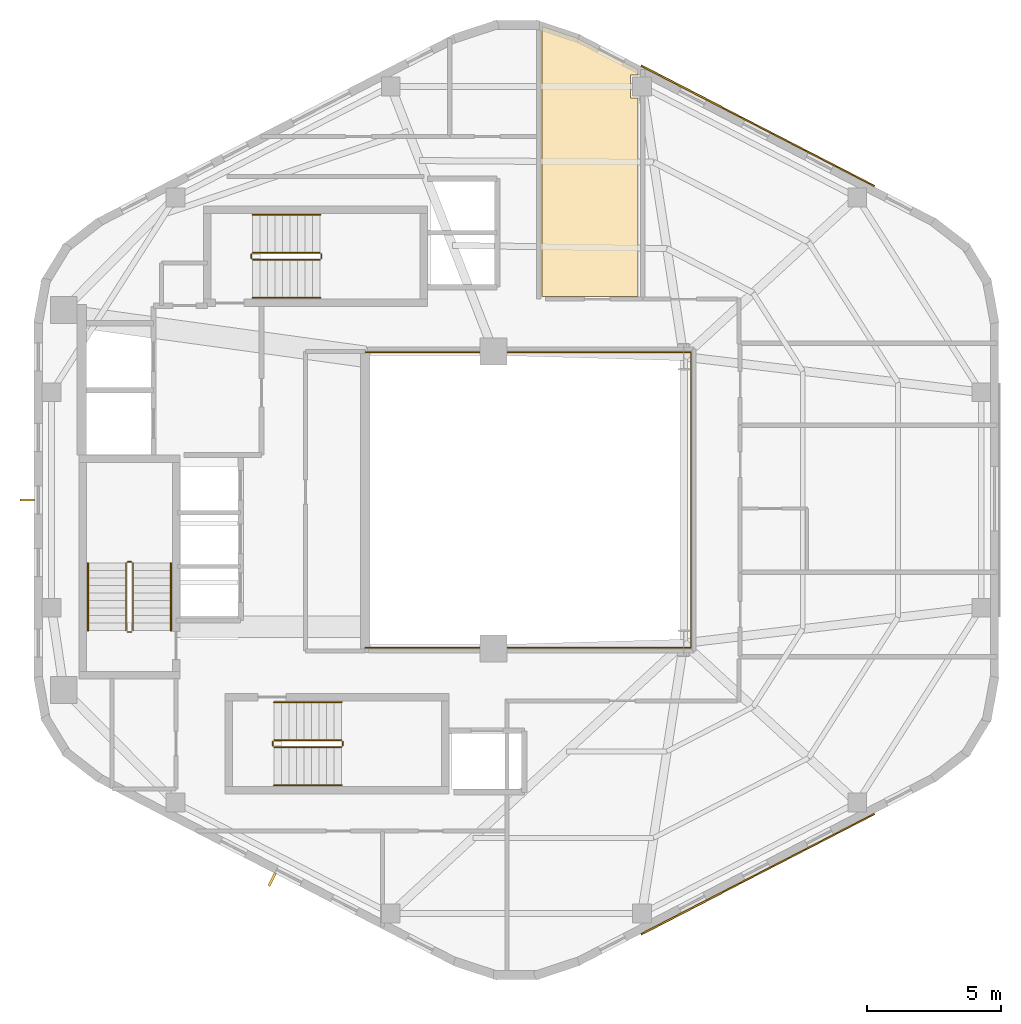
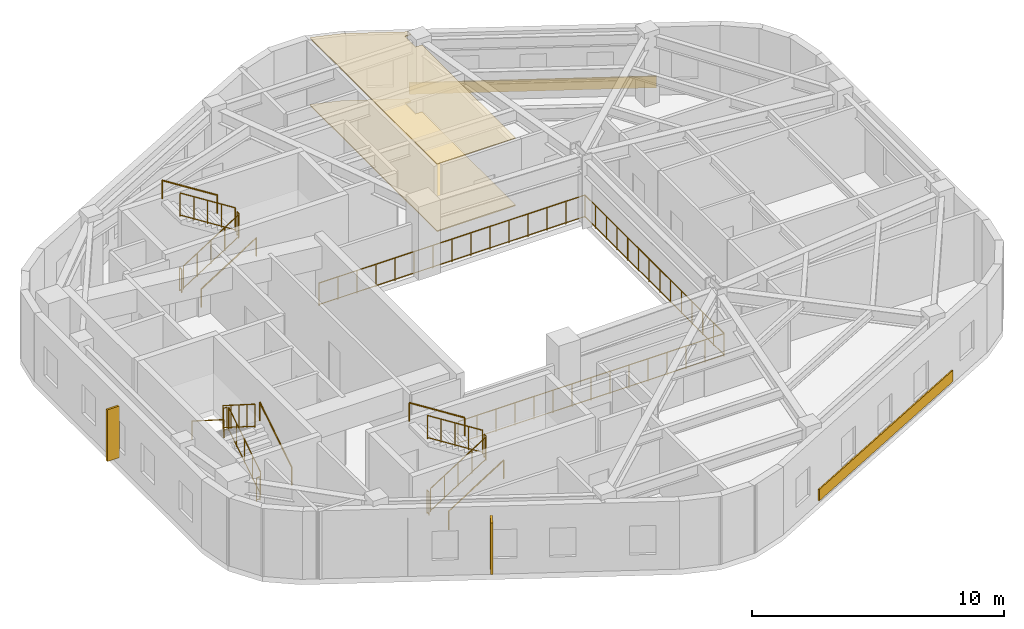
# One storey, part 6 of 7: 19 railings, 4 coverings, 2 shading devices.
"""IFC4 building model written with IfcOpenShell, lengths in metres."""

from ifc_helpers import new_model, si_unit, direction, frame, origin, origin_2d, place, context, subcontext, project, spatial, polyline, rectangle, circle, outline, extrude, material, layer, layer_set, type_object, element, save


model = new_model("IFC4")

# Units and contexts
model_context = context("Model", 3, precision=1e-05, world=origin(), true_north=direction((0.0, 1.0)))
body_context = subcontext(model_context, "Body", "Model", "MODEL_VIEW")
ifc_project = project(units=[si_unit("LENGTHUNIT", "METRE"), si_unit("AREAUNIT", "SQUARE_METRE"), si_unit("VOLUMEUNIT", "CUBIC_METRE"), si_unit("PLANEANGLEUNIT", "RADIAN"), si_unit("MASSUNIT", "GRAM", prefix="KILO"), si_unit("THERMODYNAMICTEMPERATUREUNIT", "KELVIN"), si_unit("POWERUNIT", "WATT")], contexts=[model_context])

# Site, building, storey
site_placement = place(None, origin())
site = spatial("IfcSite", under=ifc_project, at=site_placement, CompositionType="ELEMENT")
building_placement = place(site_placement, origin())
building = spatial("IfcBuilding", under=site, at=building_placement, Name="Skarre Station Tower", CompositionType="ELEMENT")
storey_placement = place(building_placement, frame((0.0, 0.0, 263.199951171875)))
storey = spatial("IfcBuildingStorey", under=building, at=storey_placement, Name="L72", CompositionType="ELEMENT", Elevation=263.199951171875)

# Railing
ifc_material_1 = material(Name="Bronze Anodized Steel & Laminated Glass Balustrade", Category="steel")
railing_type_1 = type_object("IfcRailingType", Name="Atrium Void & Mezzanine Guard Balustrade 1120", PredefinedType="GUARDRAIL", material=ifc_material_1)
railing_1_placement = place(storey_placement, frame((27.550048828125, 18.47998046875, 0.0)))
element("IfcRailing", 1, at=railing_1_placement, inside=storey, type_object=railing_type_1, Name="L72 Atrium Void Guard Balustrade", PredefinedType="GUARDRAIL", context=body_context, shape_type="SweptSolid", body=[
    extrude(circle(Radius=0.02392578125, at=origin_2d()), frame((0.0, 0.0, 1.09619140625), z_axis=(1.0, 0.0, 0.0), x_axis=(0.0, 1.0, 0.0)), (0.0, 0.0, 1.0), 12.169921875),
    extrude(circle(Radius=0.02099609375, at=origin_2d()), frame((0.0, 0.0, 0.06005859375), z_axis=(1.0, 0.0, 0.0), x_axis=(0.0, 1.0, 0.0)), (0.0, 0.0, 1.0), 12.169921875),
    extrude(circle(Radius=0.02392578125, at=origin_2d()), frame((12.169921875, 0.0, 1.09619140625), z_axis=(0.0, 1.0, 0.0), x_axis=(-1.0, 0.0, 0.0)), (0.0, 0.0, 1.0), 11.0400390625),
    extrude(circle(Radius=0.02099609375, at=origin_2d()), frame((12.169921875, 0.0, 0.06005859375), z_axis=(0.0, 1.0, 0.0), x_axis=(-1.0, 0.0, 0.0)), (0.0, 0.0, 1.0), 11.0400390625),
    extrude(circle(Radius=0.02392578125, at=origin_2d()), frame((12.169921875, 11.0400390625, 1.09619140625), z_axis=(-1.0, 0.0, 0.0), x_axis=(0.0, -1.0, 0.0)), (0.0, 0.0, 1.0), 12.169921875),
    extrude(circle(Radius=0.02099609375, at=origin_2d()), frame((12.169921875, 11.0400390625, 0.06005859375), z_axis=(-1.0, 0.0, 0.0), x_axis=(0.0, -1.0, 0.0)), (0.0, 0.0, 1.0), 12.169921875),
    extrude(circle(Radius=0.02099609375, at=origin_2d()), origin(), (0.0, 0.0, 1.0), 1.072021484375),
    extrude(circle(Radius=0.02099609375, at=origin_2d()), frame((0.869384765625, 0.0, 0.0)), (0.0, 0.0, 1.0), 1.072021484375),
    extrude(circle(Radius=0.02099609375, at=origin_2d()), frame((1.738525390625, 0.0, 0.0)), (0.0, 0.0, 1.0), 1.072021484375),
    extrude(circle(Radius=0.02099609375, at=origin_2d()), frame((2.60791015625, 0.0, 0.0)), (0.0, 0.0, 1.0), 1.072021484375),
    extrude(circle(Radius=0.02099609375, at=origin_2d()), frame((3.47705078125, 0.0, 0.0)), (0.0, 0.0, 1.0), 1.072021484375),
    extrude(circle(Radius=0.02099609375, at=origin_2d()), frame((4.346435546875, 0.0, 0.0)), (0.0, 0.0, 1.0), 1.072021484375),
    extrude(circle(Radius=0.02099609375, at=origin_2d()), frame((5.215576171875, 0.0, 0.0)), (0.0, 0.0, 1.0), 1.072021484375),
    extrude(circle(Radius=0.02099609375, at=origin_2d()), frame((6.0849609375, 0.0, 0.0)), (0.0, 0.0, 1.0), 1.072021484375),
    extrude(circle(Radius=0.02099609375, at=origin_2d()), frame((6.954345703125, 0.0, 0.0)), (0.0, 0.0, 1.0), 1.072021484375),
    extrude(circle(Radius=0.02099609375, at=origin_2d()), frame((7.823486328125, 0.0, 0.0)), (0.0, 0.0, 1.0), 1.072021484375),
    extrude(circle(Radius=0.02099609375, at=origin_2d()), frame((8.69287109375, 0.0, 0.0)), (0.0, 0.0, 1.0), 1.072021484375),
    extrude(circle(Radius=0.02099609375, at=origin_2d()), frame((9.56201171875, 0.0, 0.0)), (0.0, 0.0, 1.0), 1.072021484375),
    extrude(circle(Radius=0.02099609375, at=origin_2d()), frame((10.431396484375, 0.0, 0.0)), (0.0, 0.0, 1.0), 1.072021484375),
    extrude(circle(Radius=0.02099609375, at=origin_2d()), frame((11.300537109375, 0.0, 0.0)), (0.0, 0.0, 1.0), 1.072021484375),
    extrude(circle(Radius=0.02099609375, at=origin_2d()), frame((12.169921875, 0.0, 0.0)), (0.0, 0.0, 1.0), 1.072021484375),
    extrude(circle(Radius=0.02099609375, at=origin_2d()), frame((12.169921875, 0.84912109375, 0.0)), (0.0, 0.0, 1.0), 1.072021484375),
    extrude(circle(Radius=0.02099609375, at=origin_2d()), frame((12.169921875, 1.698486328125, 0.0)), (0.0, 0.0, 1.0), 1.072021484375),
    extrude(circle(Radius=0.02099609375, at=origin_2d()), frame((12.169921875, 2.547607421875, 0.0)), (0.0, 0.0, 1.0), 1.072021484375),
    extrude(circle(Radius=0.02099609375, at=origin_2d()), frame((12.169921875, 3.39697265625, 0.0)), (0.0, 0.0, 1.0), 1.072021484375),
    extrude(circle(Radius=0.02099609375, at=origin_2d()), frame((12.169921875, 4.24609375, 0.0)), (0.0, 0.0, 1.0), 1.072021484375),
    extrude(circle(Radius=0.02099609375, at=origin_2d()), frame((12.169921875, 5.095458984375, 0.0)), (0.0, 0.0, 1.0), 1.072021484375),
    extrude(circle(Radius=0.02099609375, at=origin_2d()), frame((12.169921875, 5.944580078125, 0.0)), (0.0, 0.0, 1.0), 1.072021484375),
    extrude(circle(Radius=0.02099609375, at=origin_2d()), frame((12.169921875, 6.7939453125, 0.0)), (0.0, 0.0, 1.0), 1.072021484375),
    extrude(circle(Radius=0.02099609375, at=origin_2d()), frame((12.169921875, 7.64306640625, 0.0)), (0.0, 0.0, 1.0), 1.072021484375),
    extrude(circle(Radius=0.02099609375, at=origin_2d()), frame((12.169921875, 8.492431640625, 0.0)), (0.0, 0.0, 1.0), 1.072021484375),
    extrude(circle(Radius=0.02099609375, at=origin_2d()), frame((12.169921875, 9.341552734375, 0.0)), (0.0, 0.0, 1.0), 1.072021484375),
    extrude(circle(Radius=0.02099609375, at=origin_2d()), frame((12.169921875, 10.19091796875, 0.0)), (0.0, 0.0, 1.0), 1.072021484375),
    extrude(circle(Radius=0.02099609375, at=origin_2d()), frame((12.169921875, 11.0400390625, 0.0)), (0.0, 0.0, 1.0), 1.072021484375),
    extrude(circle(Radius=0.02099609375, at=origin_2d()), frame((11.300537109375, 11.0400390625, 0.0)), (0.0, 0.0, 1.0), 1.072021484375),
    extrude(circle(Radius=0.02099609375, at=origin_2d()), frame((10.431396484375, 11.0400390625, 0.0)), (0.0, 0.0, 1.0), 1.072021484375),
    extrude(circle(Radius=0.02099609375, at=origin_2d()), frame((9.56201171875, 11.0400390625, 0.0)), (0.0, 0.0, 1.0), 1.072021484375),
    extrude(circle(Radius=0.02099609375, at=origin_2d()), frame((8.69287109375, 11.0400390625, 0.0)), (0.0, 0.0, 1.0), 1.072021484375),
    extrude(circle(Radius=0.02099609375, at=origin_2d()), frame((7.823486328125, 11.0400390625, 0.0)), (0.0, 0.0, 1.0), 1.072021484375),
    extrude(circle(Radius=0.02099609375, at=origin_2d()), frame((6.954345703125, 11.0400390625, 0.0)), (0.0, 0.0, 1.0), 1.072021484375),
    extrude(circle(Radius=0.02099609375, at=origin_2d()), frame((6.0849609375, 11.0400390625, 0.0)), (0.0, 0.0, 1.0), 1.072021484375),
    extrude(circle(Radius=0.02099609375, at=origin_2d()), frame((5.215576171875, 11.0400390625, 0.0)), (0.0, 0.0, 1.0), 1.072021484375),
    extrude(circle(Radius=0.02099609375, at=origin_2d()), frame((4.346435546875, 11.0400390625, 0.0)), (0.0, 0.0, 1.0), 1.072021484375),
    extrude(circle(Radius=0.02099609375, at=origin_2d()), frame((3.47705078125, 11.0400390625, 0.0)), (0.0, 0.0, 1.0), 1.072021484375),
    extrude(circle(Radius=0.02099609375, at=origin_2d()), frame((2.60791015625, 11.0400390625, 0.0)), (0.0, 0.0, 1.0), 1.072021484375),
    extrude(circle(Radius=0.02099609375, at=origin_2d()), frame((1.738525390625, 11.0400390625, 0.0)), (0.0, 0.0, 1.0), 1.072021484375),
    extrude(circle(Radius=0.02099609375, at=origin_2d()), frame((0.869384765625, 11.0400390625, 0.0)), (0.0, 0.0, 1.0), 1.072021484375),
    extrude(circle(Radius=0.02099609375, at=origin_2d()), frame((0.0, 11.0400390625, 0.0)), (0.0, 0.0, 1.0), 1.072021484375),
])

# Coverings
ifc_material_2 = material(Name="Honed Jura Limestone & Calcium-Sulfate Access Tile", Category="masonry")
ifc_layer_1 = layer(ifc_material_2, 0.050048828125, Name="Honed Jura Limestone & Calcium-Sulfate Access Tile")
ifc_layer_set_1 = layer_set([ifc_layer_1], Name="Honed Jura Limestone & Calcium-Sulfate Access Tile")
covering_type_1 = type_object("IfcCoveringType", Name="Honed Limestone & Raised Access Floor Finish 50", PredefinedType="FLOORING", material=ifc_layer_set_1)
covering_1_placement = place(storey_placement, origin())
element("IfcCovering", 2, at=covering_1_placement, inside=storey, type_object=covering_type_1, Name="L72 Limestone Access Flooring 1", PredefinedType="FLOORING", context=body_context, shape_type="SweptSolid", body=[
    extrude(outline(polyline([(34.159912109375, 41.68408203125), (34.159912109375, 31.60009765625), (37.751953125, 31.60009765625), (37.751953125, 39.01708984375), (37.458984375, 39.01708984375), (37.458984375, 39.876953125), (37.751953125, 39.876953125), (37.751953125, 40.070068359375), (35.446044921875, 41.260009765625), (34.159912109375, 41.68408203125)])), origin(), (0.0, 0.0, 1.0), 0.050048828125),
])
ifc_material_3 = material(Name="Perforated Nordic Birch Veneer & Mineral Wool", Category="wood")
ifc_layer_2 = layer(ifc_material_3, 0.044921875, Name="Perforated Nordic Birch Veneer & Mineral Wool")
ifc_layer_set_2 = layer_set([ifc_layer_2], Name="Perforated Nordic Birch Veneer & Mineral Wool")
covering_type_2 = type_object("IfcCoveringType", Name="Nordic Birch Slatted Acoustic Suspended Ceiling 45", PredefinedType="CEILING", material=ifc_layer_set_2)
covering_2_placement = place(storey_placement, frame((0.0, 0.0, 3.2451171875)))
element("IfcCovering", 3, at=covering_2_placement, inside=storey, type_object=covering_type_2, Name="L72 Acoustic Birch Ceiling 1", PredefinedType="CEILING", context=body_context, shape_type="SweptSolid", body=[
    extrude(outline(polyline([(34.159912109375, 41.68408203125), (34.159912109375, 31.60009765625), (37.751953125, 31.60009765625), (37.751953125, 39.01708984375), (37.458984375, 39.01708984375), (37.458984375, 39.876953125), (37.751953125, 39.876953125), (37.751953125, 40.070068359375), (35.446044921875, 41.260009765625), (34.159912109375, 41.68408203125)])), origin(), (0.0, 0.0, 1.0), 0.044921875),
])

# Shading devices
ifc_material_4 = material(Name="Bronze Anodized Extruded Aluminium 6063-T6", Category="aluminium")
shading_device_type = type_object("IfcShadingDeviceType", Name="Nordic Bronze Vertical Solar Fin 550x90", PredefinedType="SHUTTER", material=ifc_material_4)
for number, where, z_axis, x_axis, name in (
    (4, (14.93701171875, 24.0, 0.35009765625), (0.0, 0.0, 1.0), (-1.0, 0.0, 0.0), "L72 Facet 2 Bronze Solar Fin"),
    (5, (24.0791015625, 9.827880859375, 0.35009765625), (0.0, 0.0, 1.0), (-0.458711590553, -0.88858521071, 0.0), "L72 Facet 3 Bronze Solar Fin"),
):
    element("IfcShadingDevice", number, at=place(storey_placement, frame(where, z_axis=z_axis, x_axis=x_axis)), inside=storey, type_object=shading_device_type, Name=name, PredefinedType="SHUTTER", context=body_context, shape_type="SweptSolid", body=[
        extrude(rectangle(XDim=0.550048828125, YDim=0.090087890625, at=origin_2d()), origin(), (0.0, 0.0, 1.0), 2.5),
    ])

# Railings
ifc_material_5 = material(Name="Powder-Coated Tubular Steel", Category="steel")
railing_type_2 = type_object("IfcRailingType", Name="Painted Steel Ramp & Stair Handrail 920", PredefinedType="HANDRAIL", material=ifc_material_5)
railing_2_placement = place(storey_placement, frame((20.300048828125, 19.1201171875, 0.177490234375)))
element("IfcRailing", 6, at=railing_2_placement, inside=storey, type_object=railing_type_2, Name="L72 ST-1 stair handrail 1", PredefinedType="HANDRAIL", context=body_context, shape_type="SweptSolid", body=[
    extrude(circle(Radius=0.02392578125, at=origin_2d()), frame((0.0, 0.0, 0.8759765625), z_axis=(0.0, 0.844546487299, 0.535482241341), x_axis=(-1.0, 0.0, 0.0)), (0.0, 0.0, 1.0), 2.983642578125),
    extrude(circle(Radius=0.02099609375, at=origin_2d()), origin(), (0.0, 0.0, 1.0), 0.851806640625),
    extrude(circle(Radius=0.02099609375, at=origin_2d()), frame((0.0, 2.519775390625, 1.59765625)), (0.0, 0.0, 1.0), 0.851806640625),
])
railing_3_placement = place(storey_placement, frame((17.199951171875, 21.639892578125, 1.95263671875)))
element("IfcRailing", 7, at=railing_3_placement, inside=storey, type_object=railing_type_2, Name="L72 ST-1 stair handrail 2", PredefinedType="HANDRAIL", context=body_context, shape_type="SweptSolid", body=[
    extrude(circle(Radius=0.02392578125, at=origin_2d()), frame((0.0, 0.0, 0.8759765625), z_axis=(0.0, -0.844583492756, 0.535423872987), x_axis=(1.0, 0.0, 0.0)), (0.0, 0.0, 1.0), 2.9833984375),
    extrude(circle(Radius=0.02099609375, at=origin_2d()), origin(), (0.0, 0.0, 1.0), 0.851806640625),
    extrude(circle(Radius=0.02099609375, at=origin_2d()), frame((0.0, -2.519775390625, 1.597412109375)), (0.0, 0.0, 1.0), 0.851806640625),
])
railing_4_placement = place(storey_placement, frame((24.14990234375, 13.35009765625, 0.177490234375)))
element("IfcRailing", 8, at=railing_4_placement, inside=storey, type_object=railing_type_2, Name="L72 ST-2 stair handrail 1", PredefinedType="HANDRAIL", context=body_context, shape_type="SweptSolid", body=[
    extrude(circle(Radius=0.02392578125, at=origin_2d()), frame((0.0, 0.0, 0.8759765625), z_axis=(0.84456994832, 0.0, 0.535445237532), x_axis=(0.0, 1.0, 0.0)), (0.0, 0.0, 1.0), 2.98388671875),
    extrude(circle(Radius=0.02099609375, at=origin_2d()), origin(), (0.0, 0.0, 1.0), 0.851806640625),
    extrude(circle(Radius=0.02099609375, at=origin_2d()), frame((2.52001953125, 0.0, 1.59765625)), (0.0, 0.0, 1.0), 0.851806640625),
])
railing_5_placement = place(storey_placement, frame((26.669921875, 16.449951171875, 1.95263671875)))
element("IfcRailing", 9, at=railing_5_placement, inside=storey, type_object=railing_type_2, Name="L72 ST-2 stair handrail 2", PredefinedType="HANDRAIL", context=body_context, shape_type="SweptSolid", body=[
    extrude(circle(Radius=0.02392578125, at=origin_2d()), frame((0.0, 0.0, 0.8759765625), z_axis=(-0.84460694969, 0.0, 0.535386869969), x_axis=(0.0, -1.0, 0.0)), (0.0, 0.0, 1.0), 2.983642578125),
    extrude(circle(Radius=0.02099609375, at=origin_2d()), origin(), (0.0, 0.0, 1.0), 0.851806640625),
    extrude(circle(Radius=0.02099609375, at=origin_2d()), frame((-2.52001953125, 0.0, 1.597412109375)), (0.0, 0.0, 1.0), 0.851806640625),
])
railing_6_placement = place(storey_placement, frame((23.35009765625, 31.550048828125, 0.177490234375)))
element("IfcRailing", 10, at=railing_6_placement, inside=storey, type_object=railing_type_2, Name="L72 ST-3 stair handrail 1", PredefinedType="HANDRAIL", context=body_context, shape_type="SweptSolid", body=[
    extrude(circle(Radius=0.02392578125, at=origin_2d()), frame((0.0, 0.0, 0.8759765625), z_axis=(0.84456994832, 0.0, 0.535445237532), x_axis=(0.0, 1.0, 0.0)), (0.0, 0.0, 1.0), 2.98388671875),
    extrude(circle(Radius=0.02099609375, at=origin_2d()), origin(), (0.0, 0.0, 1.0), 0.851806640625),
    extrude(circle(Radius=0.02099609375, at=origin_2d()), frame((2.52001953125, 0.0, 1.59765625)), (0.0, 0.0, 1.0), 0.851806640625),
])
railing_7_placement = place(storey_placement, frame((25.8701171875, 34.64990234375, 1.95263671875)))
element("IfcRailing", 11, at=railing_7_placement, inside=storey, type_object=railing_type_2, Name="L72 ST-3 stair handrail 2", PredefinedType="HANDRAIL", context=body_context, shape_type="SweptSolid", body=[
    extrude(circle(Radius=0.02392578125, at=origin_2d()), frame((0.0, 0.0, 0.8759765625), z_axis=(-0.84460694969, 0.0, 0.535386869969), x_axis=(0.0, -1.0, 0.0)), (0.0, 0.0, 1.0), 2.983642578125),
    extrude(circle(Radius=0.02099609375, at=origin_2d()), origin(), (0.0, 0.0, 1.0), 0.851806640625),
    extrude(circle(Radius=0.02099609375, at=origin_2d()), frame((-2.52001953125, 0.0, 1.597412109375)), (0.0, 0.0, 1.0), 0.851806640625),
])
railing_type_3 = type_object("IfcRailingType", Name="Painted Steel Stairwell Guardrail 1100", PredefinedType="GUARDRAIL", material=ifc_material_5)
railing_8_placement = place(storey_placement, frame((18.8798828125, 19.1201171875, 0.177490234375)))
element("IfcRailing", 12, at=railing_8_placement, inside=storey, type_object=railing_type_3, Name="L72 ST-1 stair guard 1", PredefinedType="GUARDRAIL", context=body_context, shape_type="SweptSolid", body=[
    extrude(circle(Radius=0.02392578125, at=origin_2d()), frame((0.0, 0.0, 1.1259765625), z_axis=(0.0, 0.844546487299, 0.535482241341), x_axis=(-1.0, 0.0, 0.0)), (0.0, 0.0, 1.0), 2.983642578125),
    extrude(circle(Radius=0.02099609375, at=origin_2d()), frame((0.0, 0.0, 0.06005859375), z_axis=(0.0, 0.844546487299, 0.535482241341), x_axis=(-1.0, 0.0, 0.0)), (0.0, 0.0, 1.0), 2.983642578125),
    extrude(circle(Radius=0.02099609375, at=origin_2d()), origin(), (0.0, 0.0, 1.0), 1.101806640625),
    extrude(circle(Radius=0.02099609375, at=origin_2d()), frame((0.0, 0.6298828125, 0.3994140625)), (0.0, 0.0, 1.0), 1.101806640625),
    extrude(circle(Radius=0.02099609375, at=origin_2d()), frame((0.0, 1.259765625, 0.798828125)), (0.0, 0.0, 1.0), 1.101806640625),
    extrude(circle(Radius=0.02099609375, at=origin_2d()), frame((0.0, 1.889892578125, 1.1982421875)), (0.0, 0.0, 1.0), 1.101806640625),
    extrude(circle(Radius=0.02099609375, at=origin_2d()), frame((0.0, 2.519775390625, 1.59765625)), (0.0, 0.0, 1.0), 1.101806640625),
])
railing_9_placement = place(storey_placement, frame((18.830078125, 21.68994140625, 1.775146484375)))
element("IfcRailing", 13, at=railing_9_placement, inside=storey, type_object=railing_type_3, Name="L72 ST-1 stair guard 2", PredefinedType="GUARDRAIL", context=body_context, shape_type="SweptSolid", body=[
    extrude(circle(Radius=0.02392578125, at=origin_2d()), frame((0.0, 0.0, 1.1259765625), z_axis=(-1.0, 0.0, 0.0), x_axis=(0.0, -1.0, 0.0)), (0.0, 0.0, 1.0), 0.16015625),
    extrude(circle(Radius=0.02099609375, at=origin_2d()), frame((0.0, 0.0, 0.06005859375), z_axis=(-1.0, 0.0, 0.0), x_axis=(0.0, -1.0, 0.0)), (0.0, 0.0, 1.0), 0.16015625),
    extrude(circle(Radius=0.02099609375, at=origin_2d()), origin(), (0.0, 0.0, 1.0), 1.101806640625),
    extrude(circle(Radius=0.02099609375, at=origin_2d()), frame((-0.16015625, 0.0, 0.0)), (0.0, 0.0, 1.0), 1.101806640625),
])
railing_10_placement = place(storey_placement, frame((18.6201171875, 21.639892578125, 1.95263671875)))
element("IfcRailing", 14, at=railing_10_placement, inside=storey, type_object=railing_type_3, Name="L72 ST-1 stair guard 3", PredefinedType="GUARDRAIL", context=body_context, shape_type="SweptSolid", body=[
    extrude(circle(Radius=0.02392578125, at=origin_2d()), frame((0.0, 0.0, 1.1259765625), z_axis=(0.0, -0.844583492756, 0.535423872987), x_axis=(1.0, 0.0, 0.0)), (0.0, 0.0, 1.0), 2.9833984375),
    extrude(circle(Radius=0.02099609375, at=origin_2d()), frame((0.0, 0.0, 0.06005859375), z_axis=(0.0, -0.844583492756, 0.535423872987), x_axis=(1.0, 0.0, 0.0)), (0.0, 0.0, 1.0), 2.9833984375),
    extrude(circle(Radius=0.02099609375, at=origin_2d()), origin(), (0.0, 0.0, 1.0), 1.101806640625),
    extrude(circle(Radius=0.02099609375, at=origin_2d()), frame((0.0, -0.6298828125, 0.3994140625)), (0.0, 0.0, 1.0), 1.101806640625),
    extrude(circle(Radius=0.02099609375, at=origin_2d()), frame((0.0, -1.259765625, 0.798828125)), (0.0, 0.0, 1.0), 1.101806640625),
    extrude(circle(Radius=0.02099609375, at=origin_2d()), frame((0.0, -1.889892578125, 1.197998046875)), (0.0, 0.0, 1.0), 1.101806640625),
    extrude(circle(Radius=0.02099609375, at=origin_2d()), frame((0.0, -2.519775390625, 1.597412109375)), (0.0, 0.0, 1.0), 1.101806640625),
])
railing_11_placement = place(storey_placement, frame((18.830078125, 19.070068359375, 0.0)))
element("IfcRailing", 15, at=railing_11_placement, inside=storey, type_object=railing_type_3, Name="L72 ST-1 stair guard 4", PredefinedType="GUARDRAIL", context=body_context, shape_type="SweptSolid", body=[
    extrude(circle(Radius=0.02392578125, at=origin_2d()), frame((0.0, 0.0, 1.1259765625), z_axis=(-1.0, 0.0, 0.0), x_axis=(0.0, -1.0, 0.0)), (0.0, 0.0, 1.0), 0.16015625),
    extrude(circle(Radius=0.02099609375, at=origin_2d()), frame((0.0, 0.0, 0.06005859375), z_axis=(-1.0, 0.0, 0.0), x_axis=(0.0, -1.0, 0.0)), (0.0, 0.0, 1.0), 0.16015625),
    extrude(circle(Radius=0.02099609375, at=origin_2d()), origin(), (0.0, 0.0, 1.0), 1.101806640625),
    extrude(circle(Radius=0.02099609375, at=origin_2d()), frame((-0.16015625, 0.0, 0.0)), (0.0, 0.0, 1.0), 1.101806640625),
])
railing_12_placement = place(storey_placement, frame((24.14990234375, 14.77001953125, 0.177490234375)))
element("IfcRailing", 16, at=railing_12_placement, inside=storey, type_object=railing_type_3, Name="L72 ST-2 stair guard 1", PredefinedType="GUARDRAIL", context=body_context, shape_type="SweptSolid", body=[
    extrude(circle(Radius=0.02392578125, at=origin_2d()), frame((0.0, 0.0, 1.1259765625), z_axis=(0.84456994832, 0.0, 0.535445237532), x_axis=(0.0, 1.0, 0.0)), (0.0, 0.0, 1.0), 2.98388671875),
    extrude(circle(Radius=0.02099609375, at=origin_2d()), frame((0.0, 0.0, 0.06005859375), z_axis=(0.84456994832, 0.0, 0.535445237532), x_axis=(0.0, 1.0, 0.0)), (0.0, 0.0, 1.0), 2.98388671875),
    extrude(circle(Radius=0.02099609375, at=origin_2d()), origin(), (0.0, 0.0, 1.0), 1.101806640625),
    extrude(circle(Radius=0.02099609375, at=origin_2d()), frame((0.6298828125, 0.0, 0.3994140625)), (0.0, 0.0, 1.0), 1.101806640625),
    extrude(circle(Radius=0.02099609375, at=origin_2d()), frame((1.260009765625, 0.0, 0.798828125)), (0.0, 0.0, 1.0), 1.101806640625),
    extrude(circle(Radius=0.02099609375, at=origin_2d()), frame((1.89013671875, 0.0, 1.1982421875)), (0.0, 0.0, 1.0), 1.101806640625),
    extrude(circle(Radius=0.02099609375, at=origin_2d()), frame((2.52001953125, 0.0, 1.59765625)), (0.0, 0.0, 1.0), 1.101806640625),
])
railing_13_placement = place(storey_placement, frame((26.719970703125, 14.820068359375, 1.775146484375)))
element("IfcRailing", 17, at=railing_13_placement, inside=storey, type_object=railing_type_3, Name="L72 ST-2 stair guard 2", PredefinedType="GUARDRAIL", context=body_context, shape_type="SweptSolid", body=[
    extrude(circle(Radius=0.02392578125, at=origin_2d()), frame((0.0, 0.0, 1.1259765625), z_axis=(0.0, 1.0, 0.0), x_axis=(-1.0, 0.0, 0.0)), (0.0, 0.0, 1.0), 0.159912109375),
    extrude(circle(Radius=0.02099609375, at=origin_2d()), frame((0.0, 0.0, 0.06005859375), z_axis=(0.0, 1.0, 0.0), x_axis=(-1.0, 0.0, 0.0)), (0.0, 0.0, 1.0), 0.159912109375),
    extrude(circle(Radius=0.02099609375, at=origin_2d()), origin(), (0.0, 0.0, 1.0), 1.101806640625),
    extrude(circle(Radius=0.02099609375, at=origin_2d()), frame((0.0, 0.159912109375, 0.0)), (0.0, 0.0, 1.0), 1.101806640625),
])
railing_14_placement = place(storey_placement, frame((26.669921875, 15.030029296875, 1.95263671875)))
element("IfcRailing", 18, at=railing_14_placement, inside=storey, type_object=railing_type_3, Name="L72 ST-2 stair guard 3", PredefinedType="GUARDRAIL", context=body_context, shape_type="SweptSolid", body=[
    extrude(circle(Radius=0.02392578125, at=origin_2d()), frame((0.0, 0.0, 1.1259765625), z_axis=(-0.84460694969, 0.0, 0.535386869969), x_axis=(0.0, -1.0, 0.0)), (0.0, 0.0, 1.0), 2.983642578125),
    extrude(circle(Radius=0.02099609375, at=origin_2d()), frame((0.0, 0.0, 0.06005859375), z_axis=(-0.84460694969, 0.0, 0.535386869969), x_axis=(0.0, -1.0, 0.0)), (0.0, 0.0, 1.0), 2.983642578125),
    extrude(circle(Radius=0.02099609375, at=origin_2d()), origin(), (0.0, 0.0, 1.0), 1.101806640625),
    extrude(circle(Radius=0.02099609375, at=origin_2d()), frame((-0.6298828125, 0.0, 0.3994140625)), (0.0, 0.0, 1.0), 1.101806640625),
    extrude(circle(Radius=0.02099609375, at=origin_2d()), frame((-1.260009765625, 0.0, 0.798828125)), (0.0, 0.0, 1.0), 1.101806640625),
    extrude(circle(Radius=0.02099609375, at=origin_2d()), frame((-1.89013671875, 0.0, 1.197998046875)), (0.0, 0.0, 1.0), 1.101806640625),
    extrude(circle(Radius=0.02099609375, at=origin_2d()), frame((-2.52001953125, 0.0, 1.597412109375)), (0.0, 0.0, 1.0), 1.101806640625),
])
railing_15_placement = place(storey_placement, frame((24.10009765625, 14.820068359375, 0.0)))
element("IfcRailing", 19, at=railing_15_placement, inside=storey, type_object=railing_type_3, Name="L72 ST-2 stair guard 4", PredefinedType="GUARDRAIL", context=body_context, shape_type="SweptSolid", body=[
    extrude(circle(Radius=0.02392578125, at=origin_2d()), frame((0.0, 0.0, 1.1259765625), z_axis=(0.0, 1.0, 0.0), x_axis=(-1.0, 0.0, 0.0)), (0.0, 0.0, 1.0), 0.159912109375),
    extrude(circle(Radius=0.02099609375, at=origin_2d()), frame((0.0, 0.0, 0.06005859375), z_axis=(0.0, 1.0, 0.0), x_axis=(-1.0, 0.0, 0.0)), (0.0, 0.0, 1.0), 0.159912109375),
    extrude(circle(Radius=0.02099609375, at=origin_2d()), origin(), (0.0, 0.0, 1.0), 1.101806640625),
    extrude(circle(Radius=0.02099609375, at=origin_2d()), frame((0.0, 0.159912109375, 0.0)), (0.0, 0.0, 1.0), 1.101806640625),
])
railing_16_placement = place(storey_placement, frame((23.35009765625, 32.969970703125, 0.177490234375)))
element("IfcRailing", 20, at=railing_16_placement, inside=storey, type_object=railing_type_3, Name="L72 ST-3 stair guard 1", PredefinedType="GUARDRAIL", context=body_context, shape_type="SweptSolid", body=[
    extrude(circle(Radius=0.02392578125, at=origin_2d()), frame((0.0, 0.0, 1.1259765625), z_axis=(0.84456994832, 0.0, 0.535445237532), x_axis=(0.0, 1.0, 0.0)), (0.0, 0.0, 1.0), 2.98388671875),
    extrude(circle(Radius=0.02099609375, at=origin_2d()), frame((0.0, 0.0, 0.06005859375), z_axis=(0.84456994832, 0.0, 0.535445237532), x_axis=(0.0, 1.0, 0.0)), (0.0, 0.0, 1.0), 2.98388671875),
    extrude(circle(Radius=0.02099609375, at=origin_2d()), origin(), (0.0, 0.0, 1.0), 1.101806640625),
    extrude(circle(Radius=0.02099609375, at=origin_2d()), frame((0.6298828125, 0.0, 0.3994140625)), (0.0, 0.0, 1.0), 1.101806640625),
    extrude(circle(Radius=0.02099609375, at=origin_2d()), frame((1.260009765625, 0.0, 0.798828125)), (0.0, 0.0, 1.0), 1.101806640625),
    extrude(circle(Radius=0.02099609375, at=origin_2d()), frame((1.89013671875, 0.0, 1.1982421875)), (0.0, 0.0, 1.0), 1.101806640625),
    extrude(circle(Radius=0.02099609375, at=origin_2d()), frame((2.52001953125, 0.0, 1.59765625)), (0.0, 0.0, 1.0), 1.101806640625),
])
railing_17_placement = place(storey_placement, frame((25.919921875, 33.02001953125, 1.775146484375)))
element("IfcRailing", 21, at=railing_17_placement, inside=storey, type_object=railing_type_3, Name="L72 ST-3 stair guard 2", PredefinedType="GUARDRAIL", context=body_context, shape_type="SweptSolid", body=[
    extrude(circle(Radius=0.02392578125, at=origin_2d()), frame((0.0, 0.0, 1.1259765625), z_axis=(0.0, 1.0, 0.0), x_axis=(-1.0, 0.0, 0.0)), (0.0, 0.0, 1.0), 0.159912109375),
    extrude(circle(Radius=0.02099609375, at=origin_2d()), frame((0.0, 0.0, 0.06005859375), z_axis=(0.0, 1.0, 0.0), x_axis=(-1.0, 0.0, 0.0)), (0.0, 0.0, 1.0), 0.159912109375),
    extrude(circle(Radius=0.02099609375, at=origin_2d()), origin(), (0.0, 0.0, 1.0), 1.101806640625),
    extrude(circle(Radius=0.02099609375, at=origin_2d()), frame((0.0, 0.159912109375, 0.0)), (0.0, 0.0, 1.0), 1.101806640625),
])
railing_18_placement = place(storey_placement, frame((25.8701171875, 33.22998046875, 1.95263671875)))
element("IfcRailing", 22, at=railing_18_placement, inside=storey, type_object=railing_type_3, Name="L72 ST-3 stair guard 3", PredefinedType="GUARDRAIL", context=body_context, shape_type="SweptSolid", body=[
    extrude(circle(Radius=0.02392578125, at=origin_2d()), frame((0.0, 0.0, 1.1259765625), z_axis=(-0.84460694969, 0.0, 0.535386869969), x_axis=(0.0, -1.0, 0.0)), (0.0, 0.0, 1.0), 2.983642578125),
    extrude(circle(Radius=0.02099609375, at=origin_2d()), frame((0.0, 0.0, 0.06005859375), z_axis=(-0.84460694969, 0.0, 0.535386869969), x_axis=(0.0, -1.0, 0.0)), (0.0, 0.0, 1.0), 2.983642578125),
    extrude(circle(Radius=0.02099609375, at=origin_2d()), origin(), (0.0, 0.0, 1.0), 1.101806640625),
    extrude(circle(Radius=0.02099609375, at=origin_2d()), frame((-0.6298828125, 0.0, 0.3994140625)), (0.0, 0.0, 1.0), 1.101806640625),
    extrude(circle(Radius=0.02099609375, at=origin_2d()), frame((-1.260009765625, 0.0, 0.798828125)), (0.0, 0.0, 1.0), 1.101806640625),
    extrude(circle(Radius=0.02099609375, at=origin_2d()), frame((-1.89013671875, 0.0, 1.197998046875)), (0.0, 0.0, 1.0), 1.101806640625),
    extrude(circle(Radius=0.02099609375, at=origin_2d()), frame((-2.52001953125, 0.0, 1.597412109375)), (0.0, 0.0, 1.0), 1.101806640625),
])
railing_19_placement = place(storey_placement, frame((23.300048828125, 33.02001953125, 0.0)))
element("IfcRailing", 23, at=railing_19_placement, inside=storey, type_object=railing_type_3, Name="L72 ST-3 stair guard 4", PredefinedType="GUARDRAIL", context=body_context, shape_type="SweptSolid", body=[
    extrude(circle(Radius=0.02392578125, at=origin_2d()), frame((0.0, 0.0, 1.1259765625), z_axis=(0.0, 1.0, 0.0), x_axis=(-1.0, 0.0, 0.0)), (0.0, 0.0, 1.0), 0.159912109375),
    extrude(circle(Radius=0.02099609375, at=origin_2d()), frame((0.0, 0.0, 0.06005859375), z_axis=(0.0, 1.0, 0.0), x_axis=(-1.0, 0.0, 0.0)), (0.0, 0.0, 1.0), 0.159912109375),
    extrude(circle(Radius=0.02099609375, at=origin_2d()), origin(), (0.0, 0.0, 1.0), 1.101806640625),
    extrude(circle(Radius=0.02099609375, at=origin_2d()), frame((0.0, 0.159912109375, 0.0)), (0.0, 0.0, 1.0), 1.101806640625),
])

# Coverings
ifc_material_6 = material(Name="Honed Pale Nordic Granite Cladding", Category="masonry")
ifc_layer_3 = layer(ifc_material_6, 0.06005859375, Name="Honed Pale Nordic Granite Cladding")
ifc_layer_set_3 = layer_set([ifc_layer_3], Name="Honed Pale Nordic Granite Cladding")
covering_type_3 = type_object("IfcCoveringType", Name="Precast Pier Spandrel Reveal Cladding 60", PredefinedType="CLADDING", material=ifc_layer_set_3)
for number, where, z_axis, x_axis, name in (
    (24, (42.218017578125, 37.971923828125, 0.14501953125), (0.0, 0.0, 1.0), (-0.88858521071, 0.458711590553, 0.0), "L72 Facet 0 Granite Spandrel Cladding"),
    (25, (42.218017578125, 10.028076171875, 0.14501953125), (0.0, 0.0, 1.0), (0.88858521071, 0.458711590553, 0.0), "L72 Facet 4 Granite Spandrel Cladding"),
):
    element("IfcCovering", number, at=place(storey_placement, frame(where, z_axis=z_axis, x_axis=x_axis)), inside=storey, type_object=covering_type_3, Name=name, PredefinedType="CLADDING", context=body_context, shape_type="SweptSolid", body=[
        extrude(rectangle(XDim=9.800048828125, YDim=0.06005859375, at=origin_2d()), origin(), (0.0, 0.0, 1.0), 0.550048828125),
    ])

save(model, "model.ifc")
